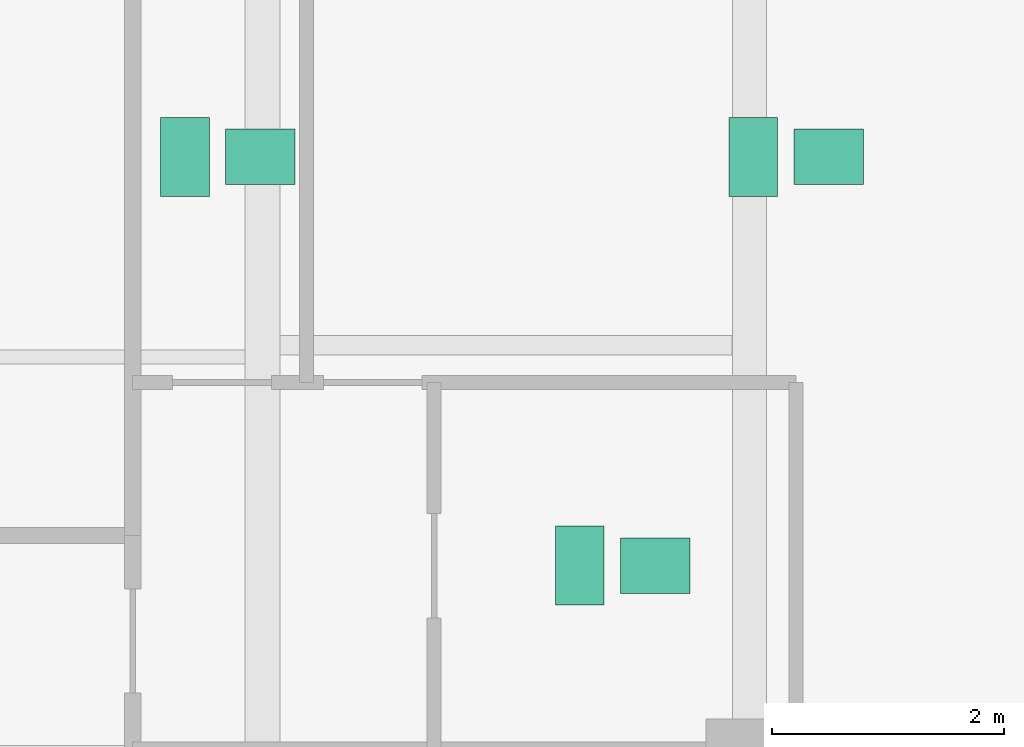
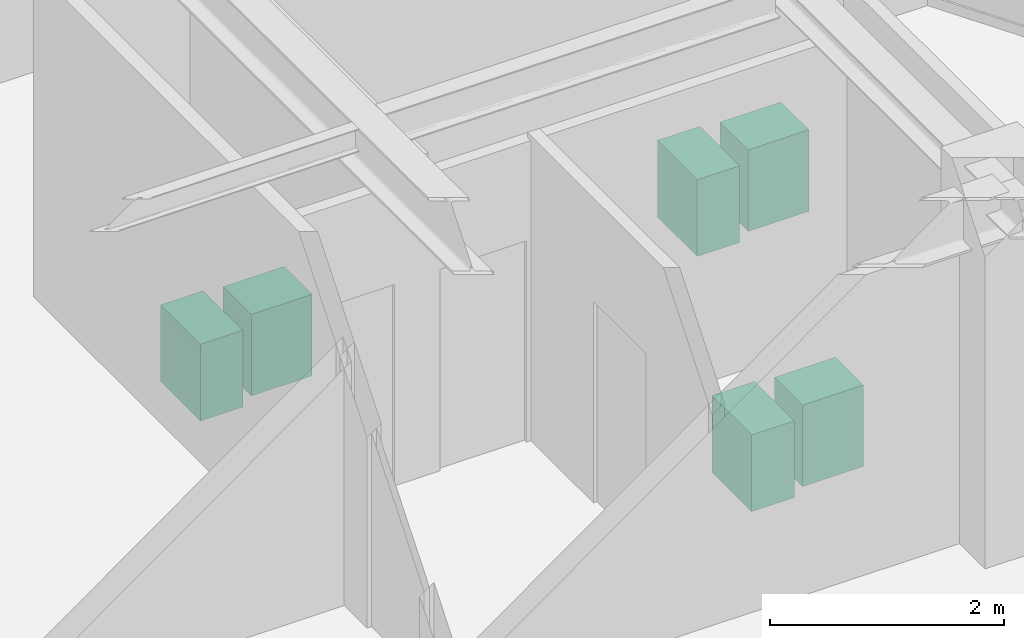
# One storey, part 20 of 20: 6 sanitary terminals.
"""IFC4 building model written with IfcOpenShell, lengths in metres."""

from ifc_helpers import new_model, si_unit, direction, frame, origin, origin_2d, place, context, subcontext, project, spatial, rectangle, extrude, source, transform, mapped, material, type_object, type_shapes, element, save


model = new_model("IFC4")

# Units and contexts
model_context = context("Model", 3, precision=1e-05, world=origin(), true_north=direction((0.0, 1.0)))
body_context = subcontext(model_context, "Body", "Model", "MODEL_VIEW")
ifc_project = project(units=[si_unit("LENGTHUNIT", "METRE"), si_unit("AREAUNIT", "SQUARE_METRE"), si_unit("VOLUMEUNIT", "CUBIC_METRE"), si_unit("PLANEANGLEUNIT", "RADIAN"), si_unit("MASSUNIT", "GRAM", prefix="KILO")], contexts=[model_context])

# Site, building, storey
site_placement = place(None, origin())
site = spatial("IfcSite", under=ifc_project, at=site_placement, CompositionType="ELEMENT")
building_placement = place(site_placement, origin())
building = spatial("IfcBuilding", under=site, at=building_placement, Name="Krantzveldt Concourse Tower", CompositionType="ELEMENT")
storey_placement = place(building_placement, frame((0.0, 0.0, 295.050048828125)))
storey = spatial("IfcBuildingStorey", under=building, at=storey_placement, Name="L72", CompositionType="ELEMENT", Elevation=295.050048828125)

# Sanitary terminals
ifc_material = material(Name="Vitreous china", Category="ceramic")
sanitary_terminal_type_1 = type_object("IfcSanitaryTerminalType", Name="SAN-WC-SUITE", PredefinedType="TOILETPAN", material=ifc_material)
shared_shape_1 = source(origin(), body_context, "Body", "SweptSolid", [
    extrude(rectangle(XDim=0.419921875, YDim=0.679931640625, at=origin_2d()), origin(), (0.0, 0.0, 1.0), 0.800048828125),
])
type_shapes(sanitary_terminal_type_1, [shared_shape_1])
for number, where, z_axis, x_axis, name in (
    (1, (51.0322265625, 31.925048828125, 0.0), (0.0, 0.0, 1.0), (1.0, 0.0, 0.0), "WC-SP-L72-WCM"),
    (2, (46.1298828125, 31.925048828125, 0.0), (0.0, 0.0, 1.0), (1.0, 0.0, 0.0), "WC-SP-L72-WCF"),
    (3, (49.534912109375, 28.39990234375, 0.0), (0.0, 0.0, 1.0), (1.0, 0.0, 0.0), "WC-SP-L72-WCA"),
):
    element("IfcSanitaryTerminal", number, at=place(storey_placement, frame(where, z_axis=z_axis, x_axis=x_axis)), inside=storey, type_object=sanitary_terminal_type_1, Name=name, PredefinedType="TOILETPAN", context=body_context, shape_type="MappedRepresentation", body=[
        mapped(shared_shape_1, transform((0.0, 0.0, 0.0), x_axis=(1.0, 0.0, 0.0), y_axis=(0.0, 1.0, 0.0), z_axis=(0.0, 0.0, 1.0), scale=1.0)),
    ])
sanitary_terminal_type_2 = type_object("IfcSanitaryTerminalType", Name="SAN-BASIN-600", PredefinedType="WASHHANDBASIN", material=ifc_material)
shared_shape_2 = source(origin(), body_context, "Body", "SweptSolid", [
    extrude(rectangle(XDim=0.60009765625, YDim=0.47998046875, at=origin_2d()), origin(), (0.0, 0.0, 1.0), 0.85009765625),
])
type_shapes(sanitary_terminal_type_2, [shared_shape_2])
for number, where, z_axis, x_axis, name in (
    (4, (51.682373046875, 31.925048828125, 0.0048828125), (0.0, 0.0, 1.0), (1.0, 0.0, 0.0), "BSN-SP-L72-WCM"),
    (5, (46.780029296875, 31.925048828125, 0.0048828125), (0.0, 0.0, 1.0), (1.0, 0.0, 0.0), "BSN-SP-L72-WCF"),
    (6, (50.18505859375, 28.39990234375, 0.0048828125), (0.0, 0.0, 1.0), (1.0, 0.0, 0.0), "BSN-SP-L72-WCA"),
):
    element("IfcSanitaryTerminal", number, at=place(storey_placement, frame(where, z_axis=z_axis, x_axis=x_axis)), inside=storey, type_object=sanitary_terminal_type_2, Name=name, PredefinedType="WASHHANDBASIN", context=body_context, shape_type="MappedRepresentation", body=[
        mapped(shared_shape_2, transform((0.0, 0.0, 0.0), x_axis=(1.0, 0.0, 0.0), y_axis=(0.0, 1.0, 0.0), z_axis=(0.0, 0.0, 1.0), scale=1.0)),
    ])

save(model, "model.ifc")
